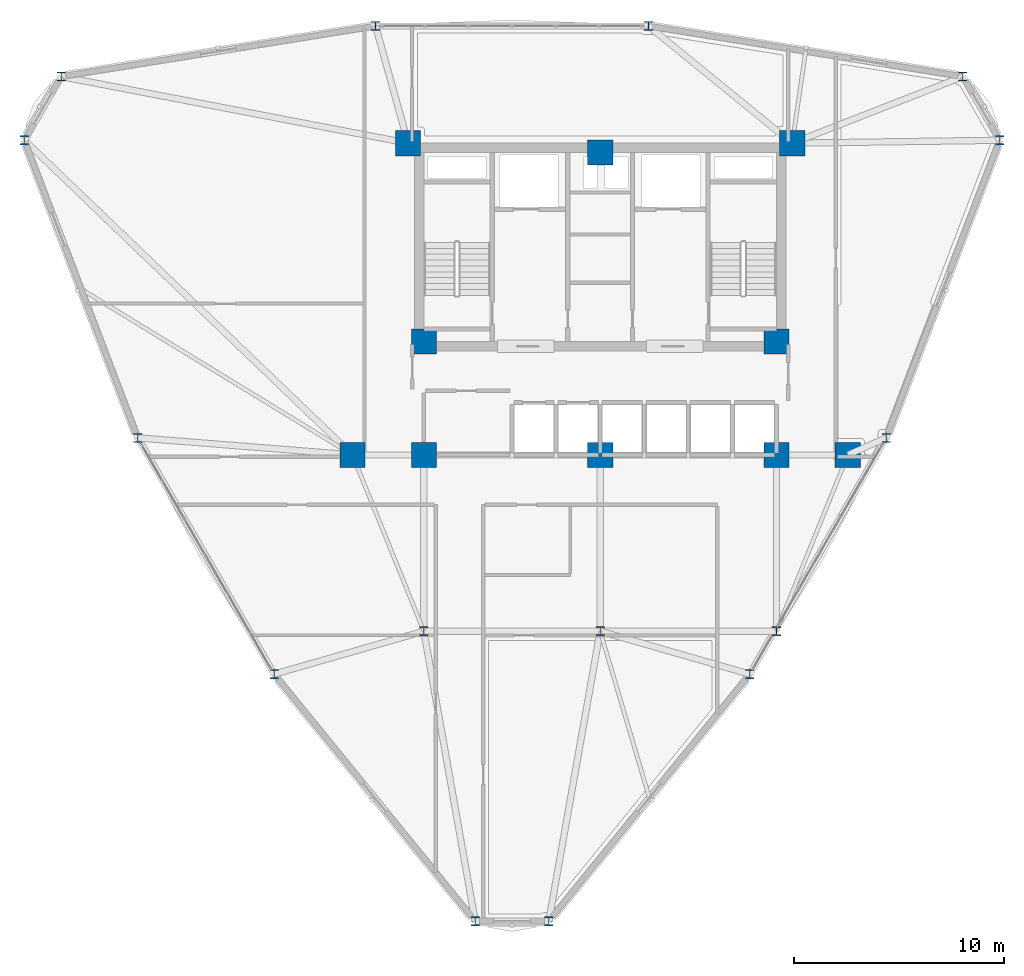
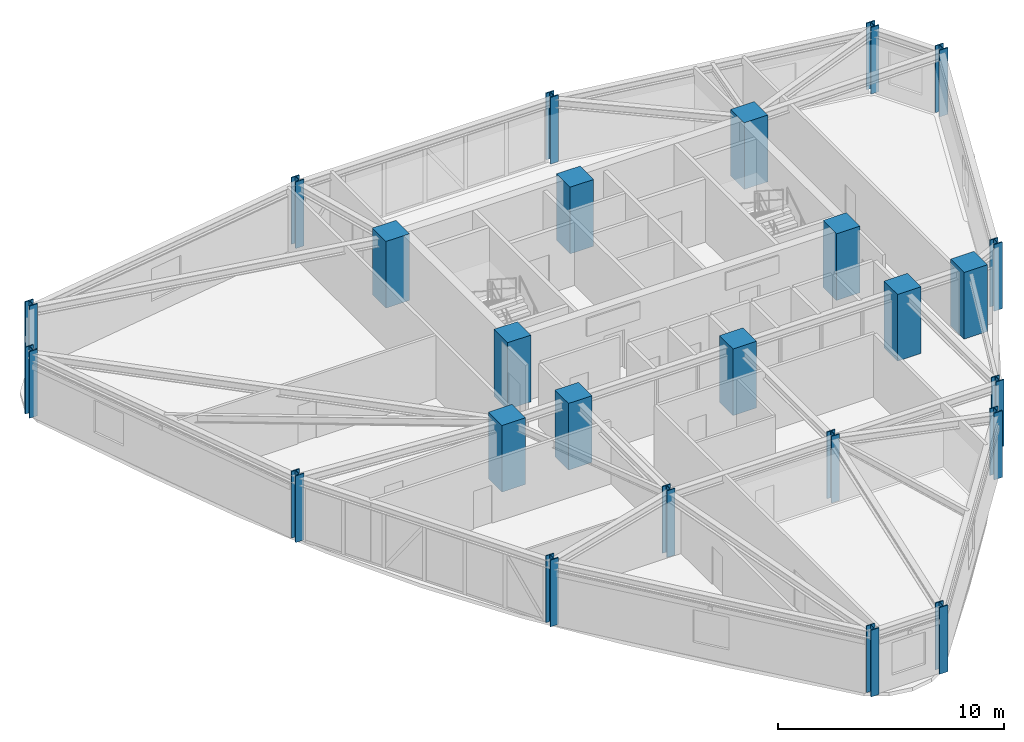
# One storey, part 1 of 15: 25 columns.
"""IFC4 building model written with IfcOpenShell, lengths in metres."""

from ifc_helpers import new_model, si_unit, derived_unit, direction, frame, origin, origin_2d, place, context, subcontext, project, spatial, rectangle, i_section, extrude, source, transform, mapped, material, material_profile, profile_set, type_object, element, save


model = new_model("IFC4")

# Units and contexts
model_context = context("Model", 3, precision=1e-05, world=origin(), true_north=direction((0.0, 1.0)))
body_context = subcontext(model_context, "Body", "Model", "MODEL_VIEW")
ifc_project = project(units=[si_unit("LENGTHUNIT", "METRE"), si_unit("AREAUNIT", "SQUARE_METRE"), si_unit("VOLUMEUNIT", "CUBIC_METRE"), si_unit("PLANEANGLEUNIT", "RADIAN"), si_unit("MASSUNIT", "GRAM", prefix="KILO"), derived_unit("THERMALTRANSMITTANCEUNIT", [(si_unit("POWERUNIT", "WATT"), 1), (si_unit("LENGTHUNIT", "METRE"), -2), (si_unit("THERMODYNAMICTEMPERATUREUNIT", "KELVIN"), -1)])], contexts=[model_context])

# Site, building, storey
site_placement = place(None, origin())
site = spatial("IfcSite", under=ifc_project, at=site_placement, CompositionType="ELEMENT")
building_placement = place(site_placement, origin())
building = spatial("IfcBuilding", under=site, at=building_placement, Name="Korsvarv Bourse and Concert Hall", CompositionType="ELEMENT")
storey_placement = place(building_placement, frame((0.0, 0.0, 147.0)))
storey = spatial("IfcBuildingStorey", under=building, at=storey_placement, Name="L37", CompositionType="ELEMENT", Elevation=147.0)

# Columns
ifc_material_1 = material(Name="Concrete C60/75", Category="concrete")
ifc_material_profile_1 = material_profile(ifc_material_1, rectangle(XDim=1.199951171875, YDim=1.199951171875, at=origin_2d()), Name="RC 1200x1200")
ifc_profile_set_1 = profile_set([ifc_material_profile_1], Name="Concrete C60/75")
column_type_1 = type_object("IfcColumnType", Name="COL-RC1200", PredefinedType="COLUMN", material=ifc_profile_set_1)
shared_shape_1 = source(origin(), body_context, "Body", "SweptSolid", [
    extrude(rectangle(XDim=1.199951171875, YDim=1.199951171875, at=origin_2d()), origin(), (0.0, 0.0, 1.0), 3.60009765625),
])
for number, where, z_axis, x_axis, name in (
    (1, (26.85009765625, 47.25, 0.0), (0.0, 0.0, 1.0), (1.0, 0.0, 0.0), "L37 column C-02"),
    (2, (45.14990234375, 47.25, 0.0), (0.0, 0.0, 1.0), (1.0, 0.0, 0.0), "L37 column C-02"),
    (3, (27.60009765625, 37.800048828125, 0.0), (0.0, 0.0, 1.0), (1.0, 0.0, 0.0), "L37 column C-02"),
    (4, (44.39990234375, 37.800048828125, 0.0), (0.0, 0.0, 1.0), (1.0, 0.0, 0.0), "L37 column C-02"),
    (5, (27.60009765625, 32.39990234375, 0.0), (0.0, 0.0, 1.0), (1.0, 0.0, 0.0), "L37 column C-02"),
    (6, (44.39990234375, 32.39990234375, 0.0), (0.0, 0.0, 1.0), (1.0, 0.0, 0.0), "L37 column C-02"),
    (7, (36.0, 46.800048828125, 0.0), (0.0, 0.0, 1.0), (1.0, 0.0, 0.0), "L37 column C-02"),
    (8, (36.0, 32.39990234375, 0.0), (0.0, 0.0, 1.0), (1.0, 0.0, 0.0), "L37 column C-02"),
    (9, (24.199951171875, 32.39990234375, 0.0), (0.0, 0.0, 1.0), (1.0, 0.0, 0.0), "L37 column C-02"),
    (10, (47.800048828125, 32.39990234375, 0.0), (0.0, 0.0, 1.0), (1.0, 0.0, 0.0), "L37 column C-02"),
):
    element("IfcColumn", number, at=place(storey_placement, frame(where, z_axis=z_axis, x_axis=x_axis)), inside=storey, type_object=column_type_1, Name=name, PredefinedType="COLUMN", context=body_context, shape_type="MappedRepresentation", body=[
        mapped(shared_shape_1, transform((0.0, 0.0, 0.0), scale=1.0)),
    ])
ifc_material_2 = material(Name="Steel S355", Category="steel")
ifc_material_profile_2 = material_profile(ifc_material_2, i_section(OverallWidth=0.412109375, OverallDepth=0.43505859375, WebThickness=0.032958984375, FlangeThickness=0.052978515625, FilletRadius=0.014892578125, at=origin_2d()), Name="HD 400x463")
ifc_profile_set_2 = profile_set([ifc_material_profile_2], Name="Steel S355")
column_type_2 = type_object("IfcColumnType", Name="COL-HD463", PredefinedType="COLUMN", material=ifc_profile_set_2)
shared_shape_2 = source(origin(), body_context, "Body", "SweptSolid", [
    extrude(i_section(OverallWidth=0.412109375, OverallDepth=0.43505859375, WebThickness=0.032958984375, FlangeThickness=0.052978515625, FilletRadius=0.014892578125, at=origin_2d()), origin(), (0.0, 0.0, 1.0), 3.60009765625),
])
for number, where, z_axis, x_axis, name in (
    (11, (27.60009765625, 24.0, 0.0), (0.0, 0.0, 1.0), (1.0, 0.0, 0.0), "L37 column C-09"),
    (12, (44.39990234375, 24.0, 0.0), (0.0, 0.0, 1.0), (1.0, 0.0, 0.0), "L37 column C-09"),
    (13, (36.0, 24.0, 0.0), (0.0, 0.0, 1.0), (1.0, 0.0, 0.0), "L37 column C-09"),
    (14, (55.033935546875, 47.39013671875, 0.0), (0.0, 0.0, 1.0), (1.0, 0.0, 0.0), "L37 column C-09"),
    (15, (53.281005859375, 50.42626953125, 0.0), (0.0, 0.0, 1.0), (1.0, 0.0, 0.0), "L37 column C-09"),
    (16, (38.30078125, 52.83642578125, 0.0), (0.0, 0.0, 1.0), (1.0, 0.0, 0.0), "L37 column C-09"),
    (17, (25.29931640625, 52.83642578125, 0.0), (0.0, 0.0, 1.0), (1.0, 0.0, 0.0), "L37 column C-09"),
    (18, (10.31884765625, 50.42626953125, 0.0), (0.0, 0.0, 1.0), (1.0, 0.0, 0.0), "L37 column C-09"),
    (19, (8.56591796875, 47.39013671875, 0.0), (0.0, 0.0, 1.0), (1.0, 0.0, 0.0), "L37 column C-09"),
    (20, (13.96875, 33.211669921875, 0.0), (0.0, 0.0, 1.0), (1.0, 0.0, 0.0), "L37 column C-09"),
    (21, (20.469482421875, 21.951904296875, 0.0), (0.0, 0.0, 1.0), (1.0, 0.0, 0.0), "L37 column C-09"),
    (22, (30.047119140625, 10.183837890625, 0.0), (0.0, 0.0, 1.0), (1.0, 0.0, 0.0), "L37 column C-09"),
    (23, (33.552978515625, 10.183837890625, 0.0), (0.0, 0.0, 1.0), (1.0, 0.0, 0.0), "L37 column C-09"),
    (24, (43.13037109375, 21.951904296875, 0.0), (0.0, 0.0, 1.0), (1.0, 0.0, 0.0), "L37 column C-09"),
    (25, (49.631103515625, 33.211669921875, 0.0), (0.0, 0.0, 1.0), (1.0, 0.0, 0.0), "L37 column C-09"),
):
    element("IfcColumn", number, at=place(storey_placement, frame(where, z_axis=z_axis, x_axis=x_axis)), inside=storey, type_object=column_type_2, Name=name, PredefinedType="COLUMN", context=body_context, shape_type="MappedRepresentation", body=[
        mapped(shared_shape_2, transform((0.0, 0.0, 0.0), scale=1.0)),
    ])

save(model, "model.ifc")
